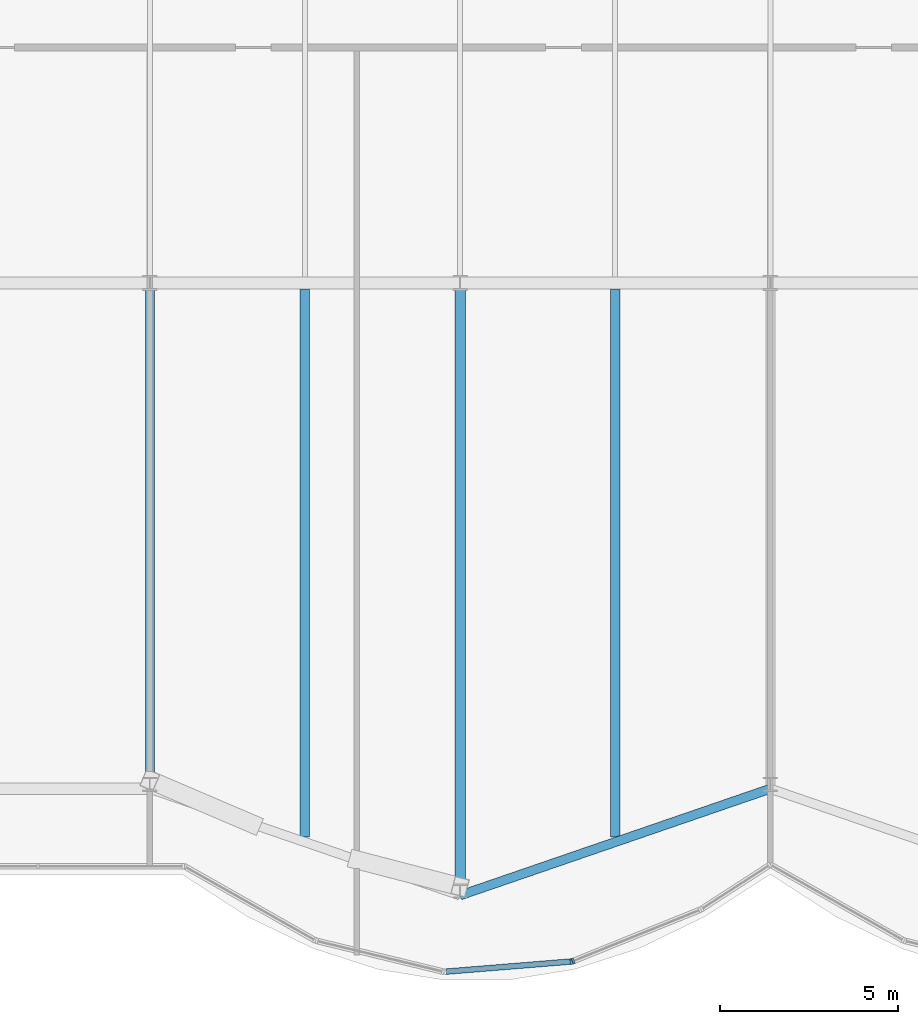
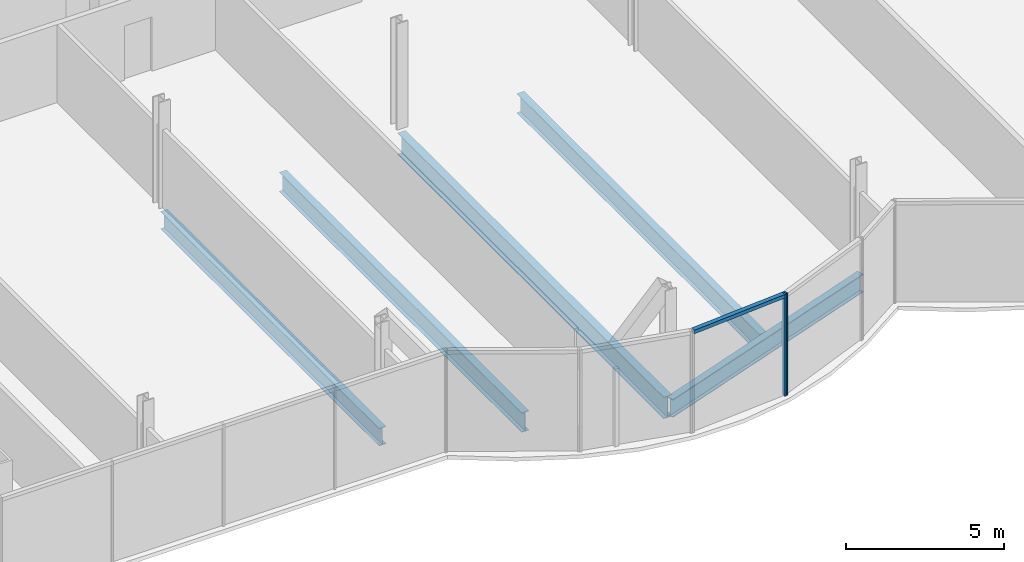
# One storey, part 5 of 21: 5 beams, 3 members, 1 element without a shape of its own.
"""IFC4 building model written with IfcOpenShell, lengths in metres."""

from ifc_helpers import new_model, si_unit, direction, frame, origin, origin_2d, place, context, subcontext, project, spatial, rectangle, i_section, extrude, material, material_profile, profile_set, type_object, element, aggregate, save


model = new_model("IFC4")

# Units and contexts
model_context = context("Model", 3, precision=1e-05, world=origin(), true_north=direction((0.0, 1.0)))
body_context = subcontext(model_context, "Body", "Model", "MODEL_VIEW")
ifc_project = project(units=[si_unit("LENGTHUNIT", "METRE"), si_unit("AREAUNIT", "SQUARE_METRE"), si_unit("VOLUMEUNIT", "CUBIC_METRE"), si_unit("PLANEANGLEUNIT", "RADIAN"), si_unit("MASSUNIT", "GRAM", prefix="KILO")], contexts=[model_context])

# Site, building, storey
site_placement = place(None, origin())
site = spatial("IfcSite", under=ifc_project, at=site_placement, CompositionType="ELEMENT")
building_placement = place(site_placement, origin())
building = spatial("IfcBuilding", under=site, at=building_placement, Name="Bicima Exchange Tower", CompositionType="ELEMENT")
storey_placement = place(building_placement, frame((0.0, 0.0, 98.10009765625)))
storey = spatial("IfcBuildingStorey", under=building, at=storey_placement, Name="L20", CompositionType="ELEMENT", Elevation=98.10009765625)

# Beams
ifc_material_1 = material(Name="Steel ASTM A992 Gr 50", Category="steel")
ifc_material_profile_1 = material_profile(ifc_material_1, i_section(OverallWidth=0.25390625, OverallDepth=0.67822265625, WebThickness=0.01171875, FlangeThickness=0.016357421875, at=origin_2d()))
ifc_profile_set_1 = profile_set([ifc_material_profile_1], Name="Steel ASTM A992 Gr 50")
beam_type_1 = type_object("IfcBeamType", Name="Floor beam W27x84", PredefinedType="JOIST", material=ifc_profile_set_1)
beam_1_placement = place(storey_placement, frame((-17.39990234375, -22.16259765625, -0.4892578125), z_axis=(0.0, -1.0, 0.0), x_axis=(1.0, 0.0, 0.0)))
element("IfcBeam", 1, at=beam_1_placement, inside=storey, type_object=beam_type_1, Name="Floor beam", PredefinedType="JOIST", context=body_context, shape_type="SweptSolid", body=[
    extrude(i_section(OverallWidth=0.25390625, OverallDepth=0.67822265625, WebThickness=0.01171875, FlangeThickness=0.016357421875, at=origin_2d()), origin(), (0.0, 0.0, 1.0), 13.85888671875),
])
ifc_material_profile_2 = material_profile(ifc_material_1, i_section(OverallWidth=0.2666015625, OverallDepth=0.75439453125, WebThickness=0.01318359375, FlangeThickness=0.01708984375, at=origin_2d()))
ifc_profile_set_2 = profile_set([ifc_material_profile_2], Name="Steel ASTM A992 Gr 50")
beam_type_2 = type_object("IfcBeamType", Name="Floor beam W30x99", PredefinedType="JOIST", material=ifc_profile_set_2)
for number, where, z_axis, x_axis, name in (
    (2, (-13.050048828125, -22.16259765625, -0.52734375), (0.0, -1.0, 0.0), (1.0, 0.0, 0.0), "Floor beam"),
    (3, (-4.35009765625, -22.16259765625, -0.52734375), (0.0, -1.0, 0.0), (1.0, 0.0, 0.0), "Floor beam"),
):
    element("IfcBeam", number, at=place(storey_placement, frame(where, z_axis=z_axis, x_axis=x_axis)), inside=storey, type_object=beam_type_2, Name=name, PredefinedType="JOIST", context=body_context, shape_type="SweptSolid", body=[
        extrude(i_section(OverallWidth=0.2666015625, OverallDepth=0.75439453125, WebThickness=0.01318359375, FlangeThickness=0.01708984375, at=origin_2d()), origin(), (0.0, 0.0, 1.0), 15.38134765625),
    ])
ifc_material_profile_3 = material_profile(ifc_material_1, i_section(OverallWidth=0.2919921875, OverallDepth=0.835693359375, WebThickness=0.013916015625, FlangeThickness=0.018798828125, at=origin_2d()))
ifc_profile_set_3 = profile_set([ifc_material_profile_3], Name="Steel ASTM A992 Gr 50")
beam_type_3 = type_object("IfcBeamType", Name="Floor beam W33x118", PredefinedType="JOIST", material=ifc_profile_set_3)
beam_2_placement = place(storey_placement, frame((-8.699951171875, -22.16259765625, -0.56787109375), z_axis=(0.0, -1.0, 0.0), x_axis=(1.0, 0.0, 0.0)))
element("IfcBeam", 4, at=beam_2_placement, inside=storey, type_object=beam_type_3, Name="Floor beam", PredefinedType="JOIST", context=body_context, shape_type="SweptSolid", body=[
    extrude(i_section(OverallWidth=0.2919921875, OverallDepth=0.835693359375, WebThickness=0.013916015625, FlangeThickness=0.018798828125, at=origin_2d()), origin(), (0.0, 0.0, 1.0), 16.876708984375),
])
ifc_material_profile_4 = material_profile(ifc_material_1, i_section(OverallWidth=0.256591796875, OverallDepth=0.693359375, WebThickness=0.014404296875, FlangeThickness=0.023681640625, at=origin_2d()))
ifc_profile_set_4 = profile_set([ifc_material_profile_4], Name="Steel ASTM A992 Gr 50")
beam_type_4 = type_object("IfcBeamType", Name="Front girder W27x114", PredefinedType="BEAM", material=ifc_profile_set_4)
beam_3_placement = place(storey_placement, frame((-8.699951171875, -39.175048828125, -0.496826171875), z_axis=(0.945674616091, 0.32511462668, 0.0), x_axis=(-0.32511462668, 0.945674616091, 0.0)))
element("IfcBeam", 5, at=beam_3_placement, inside=storey, type_object=beam_type_4, Name="Front girder", PredefinedType="BEAM", context=body_context, shape_type="SweptSolid", body=[
    extrude(i_section(OverallWidth=0.256591796875, OverallDepth=0.693359375, WebThickness=0.014404296875, FlangeThickness=0.023681640625, at=origin_2d()), origin(), (0.0, 0.0, 1.0), 9.19970703125),
])

# Curtain wall, members
ifc_material_2 = material(Name="Anodised bronze aluminium", Category="aluminium")
curtain_wall_type = type_object("IfcCurtainWallType", Name="Front glass wall", PredefinedType="NOTDEFINED", material=ifc_material_2)
curtain_wall_placement = place(storey_placement, origin())
curtain_wall = element("IfcCurtainWall", 6, at=curtain_wall_placement, inside=storey, type_object=curtain_wall_type, Name="Front glass wall L20 run 6", PredefinedType="NOTDEFINED")
ifc_material_profile_5 = material_profile(ifc_material_2, rectangle(XDim=0.159912109375, YDim=0.06005859375, at=origin_2d()))
ifc_profile_set_5 = profile_set([ifc_material_profile_5], Name="Anodised bronze aluminium")
member_type_1 = type_object("IfcMemberType", Name="Front glass wall mullion 60 x 160", PredefinedType="MULLION", material=ifc_profile_set_5)
member_1_placement = place(storey_placement, frame((-5.583984375, -41.02880859375, 0.0), z_axis=(0.0, 0.0, 1.0), x_axis=(-0.080588612633, 0.99674744821, 0.0)))
member_1 = element("IfcMember", 7, at=member_1_placement, type_object=member_type_1, Name="Front glass wall mullion 2", PredefinedType="MULLION", context=body_context, shape_type="SweptSolid", body=[
    extrude(rectangle(XDim=0.159912109375, YDim=0.06005859375, at=origin_2d()), origin(), (0.0, 0.0, 1.0), 3.949951171875),
])
member_2_placement = place(storey_placement, frame((-5.526123046875, -41.01513671875, 0.0), z_axis=(0.0, 0.0, 1.0), x_axis=(-0.374705304, 0.92714396679, 0.0)))
member_2 = element("IfcMember", 8, at=member_2_placement, type_object=member_type_1, Name="Front glass wall mullion 1", PredefinedType="MULLION", context=body_context, shape_type="SweptSolid", body=[
    extrude(rectangle(XDim=0.159912109375, YDim=0.06005859375, at=origin_2d()), origin(), (0.0, 0.0, 1.0), 3.949951171875),
])
ifc_material_profile_6 = material_profile(ifc_material_2, rectangle(XDim=0.159912109375, YDim=0.139892578125, at=origin_2d()))
ifc_profile_set_6 = profile_set([ifc_material_profile_6], Name="Anodised bronze aluminium")
member_type_2 = type_object("IfcMemberType", Name="Front glass wall transom 140 x 160", PredefinedType="USERDEFINED", material=ifc_profile_set_6)
member_3_placement = place(storey_placement, frame((-9.08837890625, -41.312255859375, 3.8798828125), z_axis=(0.9967456465, 0.080610893699, 0.0), x_axis=(-0.080610893699, 0.9967456465, 0.0)))
member_3 = element("IfcMember", 9, at=member_3_placement, type_object=member_type_2, Name="Front glass wall transom 1.1", ObjectType="TRANSOM", PredefinedType="USERDEFINED", context=body_context, shape_type="SweptSolid", body=[
    extrude(rectangle(XDim=0.159912109375, YDim=0.139892578125, at=origin_2d()), origin(), (0.0, 0.0, 1.0), 3.48583984375),
])
aggregate(curtain_wall, [member_1, member_3, member_2])

save(model, "model.ifc")
